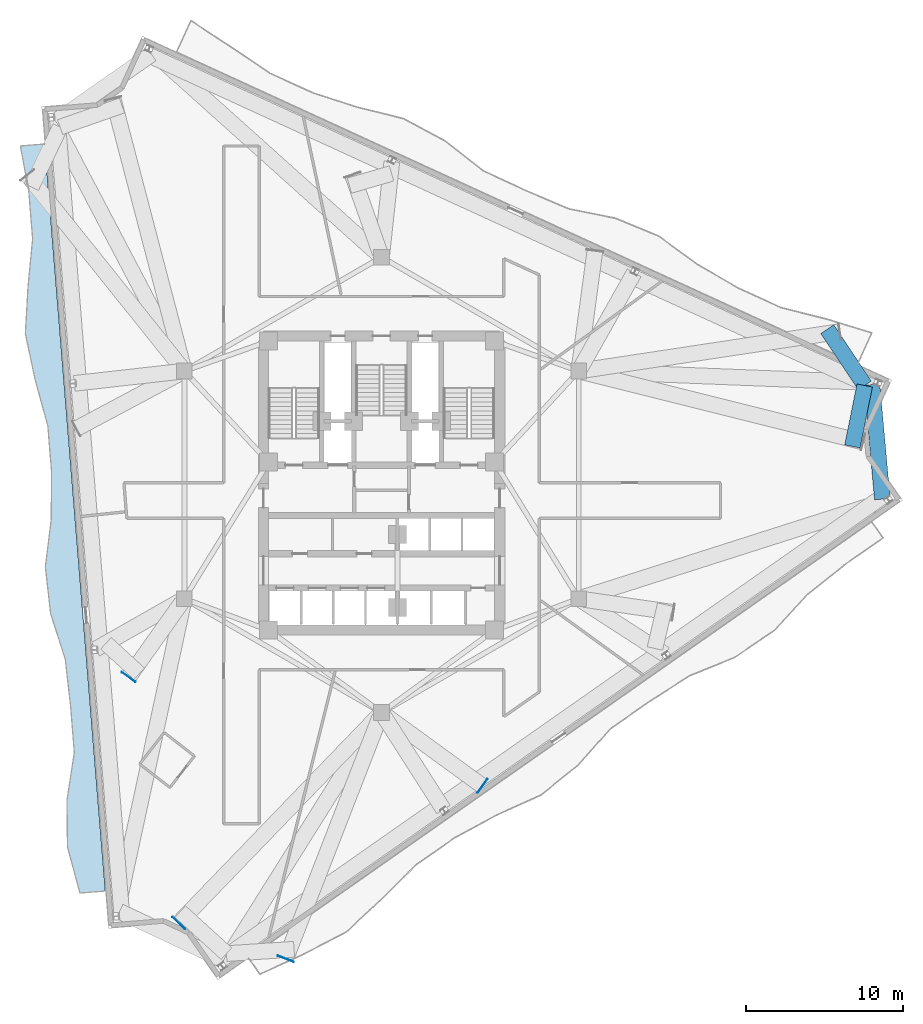
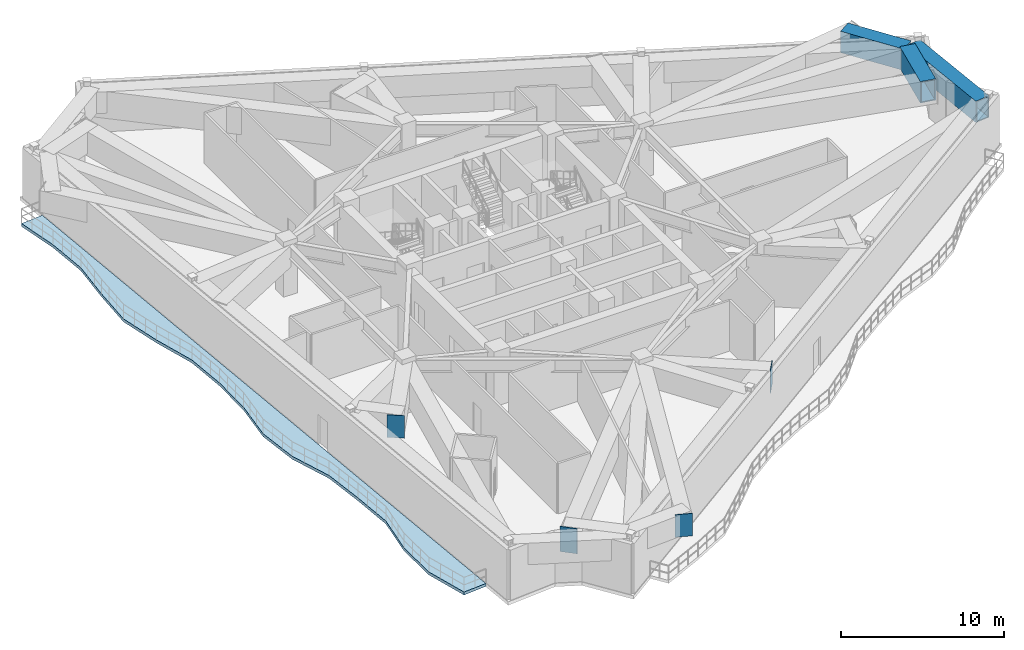
# One storey, part 4 of 14: 4 plates, 3 beams, 1 slab.
"""IFC4 building model written with IfcOpenShell, lengths in metres."""

from ifc_helpers import new_model, si_unit, direction, frame, origin, origin_2d, place, context, subcontext, project, spatial, polyline, rectangle, hollow_rectangle, outline, extrude, material, layer, layer_set, material_profile, profile_set, type_object, element, save


model = new_model("IFC4")

# Units and contexts
model_context = context("Model", 3, precision=1e-05, world=origin(), true_north=direction((0.0, 1.0)))
body_context = subcontext(model_context, "Body", "Model", "MODEL_VIEW")
ifc_project = project(units=[si_unit("LENGTHUNIT", "METRE"), si_unit("AREAUNIT", "SQUARE_METRE"), si_unit("VOLUMEUNIT", "CUBIC_METRE"), si_unit("PLANEANGLEUNIT", "RADIAN"), si_unit("MASSUNIT", "GRAM", prefix="KILO")], contexts=[model_context])

# Site, building, storey
site_placement = place(None, origin())
site = spatial("IfcSite", under=ifc_project, at=site_placement, CompositionType="ELEMENT")
building_placement = place(site_placement, origin())
building = spatial("IfcBuilding", under=site, at=building_placement, Name="Apsidion Concourse Tower", CompositionType="ELEMENT")
storey_placement = place(building_placement, frame((0.0, 0.0, 222.89990234375)))
storey = spatial("IfcBuildingStorey", under=building, at=storey_placement, Name="L52", CompositionType="ELEMENT", Elevation=222.89990234375)

# Beams
ifc_material_1 = material(Name="Structural steel ASTM A572 Grade 50", Category="steel")
ifc_material_profile = material_profile(ifc_material_1, hollow_rectangle(XDim=1.0, YDim=1.60009765625, WallThickness=0.074951171875, at=origin_2d()), Name="BOX1600X1000X75")
ifc_profile_set = profile_set([ifc_material_profile], Name="Structural steel ASTM A572 Grade 50")
beam_type = type_object("IfcBeamType", Name="BM-TR-1600", PredefinedType="USERDEFINED", material=ifc_profile_set)
beam_1_placement = place(storey_placement, frame((31.891357421875, -0.907470703125, 2.9501953125), z_axis=(-0.090385440568, 0.995906859166, 0.0), x_axis=(-0.995906859166, -0.090385440568, 0.0)))
element("IfcBeam", 1, at=beam_1_placement, inside=storey, type_object=beam_type, Name="L52 Perimeter Spandrel Girder SP-08", ObjectType="GIRDER", PredefinedType="USERDEFINED", context=body_context, shape_type="SweptSolid", body=[
    extrude(hollow_rectangle(XDim=1.0, YDim=1.60009765625, WallThickness=0.074951171875, at=origin_2d()), origin(), (0.0, 0.0, 1.0), 7.32275390625),
])
beam_2_placement = place(storey_placement, frame((30.768310546875, 6.327880859375, 2.9501953125), z_axis=(-0.198666432026, -0.980067165446, 0.0), x_axis=(0.980067165446, -0.198666432026, 0.0)))
element("IfcBeam", 2, at=beam_2_placement, inside=storey, type_object=beam_type, Name="L52 Block-Step Perimeter Transfer Bridge NBR-08", ObjectType="GIRDER", PredefinedType="USERDEFINED", context=body_context, shape_type="SweptSolid", body=[
    extrude(hollow_rectangle(XDim=1.0, YDim=1.60009765625, WallThickness=0.074951171875, at=origin_2d()), origin(), (0.0, 0.0, 1.0), 3.95703125),
])
beam_3_placement = place(storey_placement, frame((30.768310546875, 6.327880859375, 2.9501953125), z_axis=(-0.553837385985, 0.832624855433, 0.0), x_axis=(-0.832624855433, -0.553837385985, 0.0)))
element("IfcBeam", 3, at=beam_3_placement, inside=storey, type_object=beam_type, Name="L52 Block-Step Perimeter Transfer Bridge NBR-09", ObjectType="GIRDER", PredefinedType="USERDEFINED", context=body_context, shape_type="SweptSolid", body=[
    extrude(hollow_rectangle(XDim=1.0, YDim=1.60009765625, WallThickness=0.074951171875, at=origin_2d()), origin(), (0.0, 0.0, 1.0), 4.311279296875),
])

# Plates
ifc_layer_1 = layer(ifc_material_1, 0.034912109375)
ifc_layer_set_1 = layer_set([ifc_layer_1], Name="Structural steel ASTM A572 Grade 50")
plate_type = type_object("IfcPlateType", Name="PL-ENDCAP-35", PredefinedType="USERDEFINED", material=ifc_layer_set_1)
plate_1_placement = place(storey_placement, frame((-16.1015625, -12.243896484375, 2.1103515625), z_axis=(0.0, 0.0, 1.0), x_axis=(-0.578427255041, -0.815733970499, 0.0)))
element("IfcPlate", 4, at=plate_1_placement, inside=storey, type_object=plate_type, Name="L52 Radial Transfer Girder End-Cap Plate NTRCAP-03", ObjectType="FLANGE_PLATE", PredefinedType="USERDEFINED", context=body_context, shape_type="SweptSolid", body=[
    extrude(rectangle(XDim=0.044921875, YDim=1.080078125, at=origin_2d()), origin(), (0.0, 0.0, 1.0), 1.679931640625),
])
plate_2_placement = place(storey_placement, frame((-12.919921875, -27.904052734375, 1.91015625), z_axis=(0.0, 0.0, 1.0), x_axis=(-0.694030363635, -0.719945730144, 0.0)))
element("IfcPlate", 5, at=plate_2_placement, inside=storey, type_object=plate_type, Name="L52 Radial Transfer Girder End-Cap Plate NTRCAP-04", ObjectType="FLANGE_PLATE", PredefinedType="USERDEFINED", context=body_context, shape_type="SweptSolid", body=[
    extrude(rectangle(XDim=0.044921875, YDim=1.080078125, at=origin_2d()), origin(), (0.0, 0.0, 1.0), 1.8798828125),
])
for number, where, z_axis, x_axis, name in (
    (6, (-6.10107421875, -30.18310546875, 2.1103515625), (0.0, 0.0, 1.0), (-0.362600698822, -0.931944597717, 0.0), "L52 Radial Transfer Girder End-Cap Plate NTRCAP-05"),
    (7, (6.41943359375, -19.17138671875, 2.1103515625), (0.0, 0.0, 1.0), (0.808606445738, -0.588349909417, 0.0), "L52 Radial Transfer Girder End-Cap Plate NTRCAP-06"),
):
    element("IfcPlate", number, at=place(storey_placement, frame(where, z_axis=z_axis, x_axis=x_axis)), inside=storey, type_object=plate_type, Name=name, ObjectType="FLANGE_PLATE", PredefinedType="USERDEFINED", context=body_context, shape_type="SweptSolid", body=[
        extrude(rectangle(XDim=0.044921875, YDim=1.080078125, at=origin_2d()), origin(), (0.0, 0.0, 1.0), 1.679931640625),
    ])

# Slab
ifc_material_2 = material(Name="Concrete C50/60", Category="concrete")
ifc_layer_2 = layer(ifc_material_2, 0.219970703125)
ifc_layer_set_2 = layer_set([ifc_layer_2], Name="Concrete C50/60")
slab_type = type_object("IfcSlabType", Name="SL-BAL-220", PredefinedType="FLOOR", material=ifc_layer_set_2)
slab_placement = place(storey_placement, frame((0.0, 0.0, -0.219970703125)))
element("IfcSlab", 8, at=slab_placement, inside=storey, type_object=slab_type, Name="L52 Face 1 Rippling Balcony Slab", PredefinedType="FLOOR", context=body_context, shape_type="SweptSolid", body=[
    extrude(outline(polyline([(-21.455810546875, 21.7080078125), (-21.21435546875, 18.73486328125), (-20.972900390625, 15.76171875), (-20.7314453125, 12.788330078125), (-20.489990234375, 9.815185546875), (-20.248779296875, 6.842041015625), (-20.00732421875, 3.868896484375), (-19.765869140625, 0.8955078125), (-19.5244140625, -2.07763671875), (-19.283203125, -5.05078125), (-19.041748046875, -8.024169921875), (-18.80029296875, -10.997314453125), (-18.558837890625, -13.970458984375), (-18.3173828125, -16.943603515625), (-18.075927734375, -19.9169921875), (-17.834716796875, -22.89013671875), (-17.59326171875, -25.86328125), (-19.207275390625, -25.994384765625), (-20.0, -23.06591796875), (-20.0341796875, -20.075927734375), (-19.5634765625, -17.044921875), (-19.8046875, -14.071533203125), (-20.141845703125, -11.106201171875), (-21.07421875, -8.189208984375), (-21.41064453125, -5.2236328125), (-21.034912109375, -2.2001953125), (-21.01171875, 0.79443359375), (-21.253173828125, 3.767578125), (-22.061279296875, 6.69482421875), (-22.6826171875, 9.63720703125), (-22.51220703125, 12.643798828125), (-22.218994140625, 15.660400390625), (-22.460205078125, 18.633544921875), (-23.000732421875, 21.58251953125), (-21.455810546875, 21.7080078125)])), origin(), (0.0, 0.0, 1.0), 0.219970703125),
])

save(model, "model.ifc")
